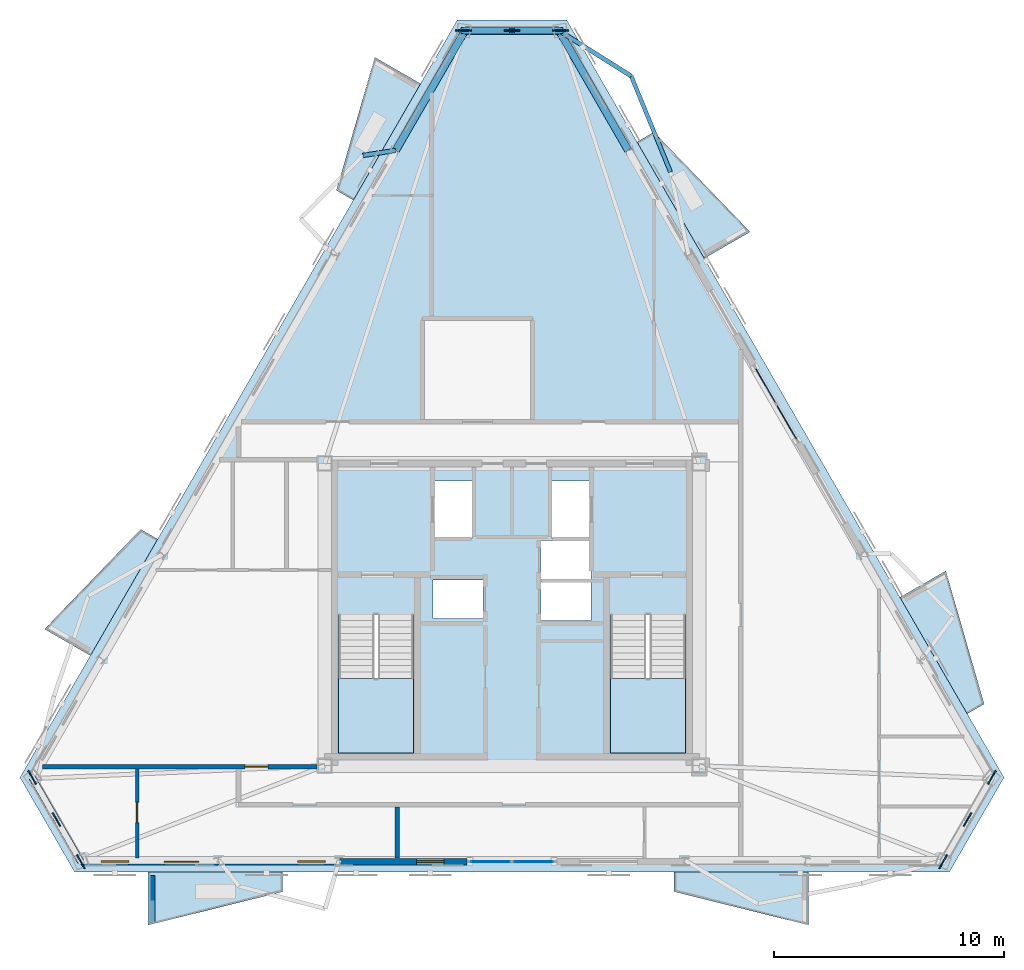
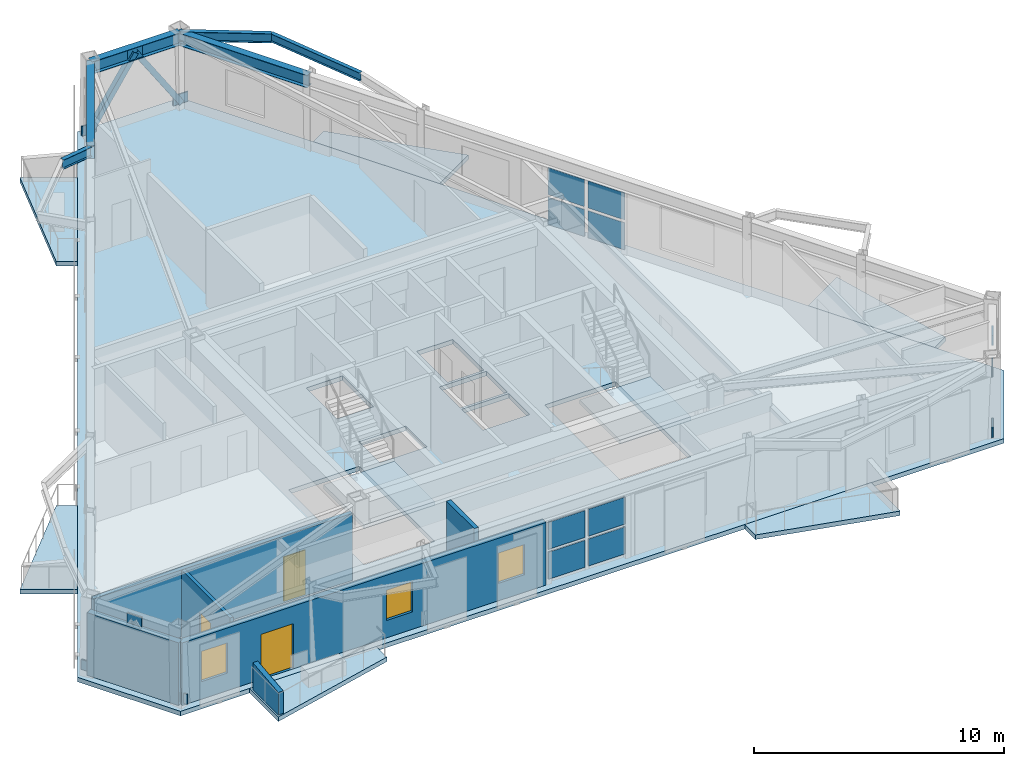
# One storey, part 7 of 15: 17 plates, 9 slabs, 6 beams, 6 walls, 3 doors, 3 windows, 2 members, 6 openings, 4 elements without a shape of their own.
"""IFC4 building model written with IfcOpenShell, lengths in metres."""

from ifc_helpers import new_model, si_unit, direction, frame, frame_2d, origin, origin_2d, place, context, subcontext, project, spatial, polyline, rectangle, hollow_rectangle, i_section, outline, extrude, material, layer, layer_set, material_profile, profile_set, type_object, element, fill, aggregate, save


model = new_model("IFC4")

# Units and contexts
model_context = context("Model", 3, precision=1e-05, world=origin(), true_north=direction((0.0, 1.0)))
body_context = subcontext(model_context, "Body", "Model", "MODEL_VIEW")
ifc_project = project(units=[si_unit("LENGTHUNIT", "METRE"), si_unit("AREAUNIT", "SQUARE_METRE"), si_unit("VOLUMEUNIT", "CUBIC_METRE"), si_unit("PLANEANGLEUNIT", "RADIAN"), si_unit("MASSUNIT", "GRAM", prefix="KILO")], contexts=[model_context])

# Site, building, storey
site_placement = place(None, origin())
site = spatial("IfcSite", under=ifc_project, at=site_placement, CompositionType="ELEMENT")
building_placement = place(site_placement, origin())
building = spatial("IfcBuilding", under=site, at=building_placement, Name="Oramaril Tower", CompositionType="ELEMENT")
storey_placement = place(building_placement, frame((0.0, 0.0, 288.89990234375)))
storey = spatial("IfcBuildingStorey", under=building, at=storey_placement, Name="L76", CompositionType="ELEMENT", Elevation=288.89990234375)

# Beams
ifc_material_1 = material(Name="Steel ASTM A572 Gr 50", Category="steel")
ifc_material_profile_1 = material_profile(ifc_material_1, i_section(OverallWidth=0.19091796875, OverallDepth=0.45703125, WebThickness=0.009033203125, FlangeThickness=0.014404296875, at=origin_2d()), Name="W18X50")
ifc_profile_set_1 = profile_set([ifc_material_profile_1], Name="Steel ASTM A572 Gr 50")
beam_type_1 = type_object("IfcBeamType", Name="BT-BB1", PredefinedType="BEAM", material=ifc_profile_set_1)
beam_1_placement = place(storey_placement, frame((39.55224609375, 42.97607421875, 3.45166015625), z_axis=(0.846798752878, -0.531913406604, 0.0), x_axis=(0.531913406604, 0.846798752878, 0.0)))
element("IfcBeam", 1, at=beam_1_placement, inside=storey, type_object=beam_type_1, Name="L76 Balcony Column-Framed Cantilever 04.2", PredefinedType="BEAM", context=body_context, shape_type="SweptSolid", body=[
    extrude(i_section(OverallWidth=0.19091796875, OverallDepth=0.45703125, WebThickness=0.009033203125, FlangeThickness=0.014404296875, at=origin_2d()), origin(), (0.0, 0.0, 1.0), 3.699951171875),
])
beam_2_placement = place(storey_placement, frame((32.442138671875, 37.770263671875, 3.45166015625), z_axis=(-0.988688165713, -0.14998570258, 0.0), x_axis=(0.14998570258, -0.988688165713, 0.0)))
element("IfcBeam", 2, at=beam_2_placement, inside=storey, type_object=beam_type_1, Name="L76 Balcony Column-Framed Cantilever 05.1", PredefinedType="BEAM", context=body_context, shape_type="SweptSolid", body=[
    extrude(i_section(OverallWidth=0.19091796875, OverallDepth=0.45703125, WebThickness=0.009033203125, FlangeThickness=0.014404296875, at=origin_2d()), origin(), (0.0, 0.0, 1.0), 1.44384765625),
])
ifc_material_2 = material(Name="Steel ASTM A572 Gr 50", Category="steel")
ifc_material_profile_2 = material_profile(ifc_material_2, i_section(OverallWidth=0.177978515625, OverallDepth=0.404052734375, WebThickness=0.007568359375, FlangeThickness=0.010986328125, at=origin_2d()), Name="W16X36")
ifc_profile_set_2 = profile_set([ifc_material_profile_2], Name="Steel ASTM A572 Gr 50")
beam_type_2 = type_object("IfcBeamType", Name="BT-SB1", PredefinedType="BEAM", material=ifc_profile_set_2)
beam_3_placement = place(storey_placement, frame((44.398193359375, 36.829833984375, 3.47802734375), z_axis=(-0.379319030389, 0.925265947274, 0.0), x_axis=(-0.925265947274, -0.379319030389, 0.0)))
element("IfcBeam", 3, at=beam_3_placement, inside=storey, type_object=beam_type_2, Name="L76 Balcony Edge Tie Beam 04", PredefinedType="BEAM", context=body_context, shape_type="SweptSolid", body=[
    extrude(i_section(OverallWidth=0.177978515625, OverallDepth=0.404052734375, WebThickness=0.007568359375, FlangeThickness=0.010986328125, at=origin_2d()), origin(), (0.0, 0.0, 1.0), 4.515625),
])
ifc_material_3 = material(Name="Steel ASTM A572 Gr 50", Category="steel")
ifc_material_profile_3 = material_profile(ifc_material_3, i_section(OverallWidth=0.324951171875, OverallDepth=0.612060546875, WebThickness=0.0126953125, FlangeThickness=0.01904296875, at=origin_2d()), Name="W24X104")
ifc_profile_set_3 = profile_set([ifc_material_profile_3], Name="Steel ASTM A572 Gr 50")
beam_type_3 = type_object("IfcBeamType", Name="BT-SP5", PredefinedType="SPANDREL", material=ifc_profile_set_3)
beam_4_placement = place(storey_placement, frame((42.557861328125, 37.770263671875, 3.3740234375), z_axis=(-0.500004880129, 0.866022586222, 0.0), x_axis=(-0.866022586222, -0.500004880129, 0.0)))
element("IfcBeam", 4, at=beam_4_placement, inside=storey, type_object=beam_type_3, Name="L76 Perimeter Spandrel 12", PredefinedType="SPANDREL", context=body_context, shape_type="SweptSolid", body=[
    extrude(i_section(OverallWidth=0.324951171875, OverallDepth=0.612060546875, WebThickness=0.0126953125, FlangeThickness=0.01904296875, at=origin_2d()), origin(), (0.0, 0.0, 1.0), 6.01123046875),
])
beam_5_placement = place(storey_placement, frame((39.55224609375, 42.97607421875, 3.3740234375), z_axis=(-1.0, 0.0, 0.0), x_axis=(0.0, -1.0, 0.0)))
element("IfcBeam", 5, at=beam_5_placement, inside=storey, type_object=beam_type_3, Name="L76 Perimeter Spandrel 13", PredefinedType="SPANDREL", context=body_context, shape_type="SweptSolid", body=[
    extrude(i_section(OverallWidth=0.324951171875, OverallDepth=0.612060546875, WebThickness=0.0126953125, FlangeThickness=0.01904296875, at=origin_2d()), origin(), (0.0, 0.0, 1.0), 4.1044921875),
])
beam_6_placement = place(storey_placement, frame((35.44775390625, 42.97607421875, 3.3740234375), z_axis=(-0.500004880129, -0.866022586222, 0.0), x_axis=(0.866022586222, -0.500004880129, 0.0)))
element("IfcBeam", 6, at=beam_6_placement, inside=storey, type_object=beam_type_3, Name="L76 Perimeter Spandrel 14", PredefinedType="SPANDREL", context=body_context, shape_type="SweptSolid", body=[
    extrude(i_section(OverallWidth=0.324951171875, OverallDepth=0.612060546875, WebThickness=0.0126953125, FlangeThickness=0.01904296875, at=origin_2d()), origin(), (0.0, 0.0, 1.0), 6.01123046875),
])

# Members
ifc_material_4 = material(Name="Steel ASTM A572 Gr 50", Category="steel")
ifc_material_profile_4 = material_profile(ifc_material_4, hollow_rectangle(XDim=0.25, YDim=0.25, WallThickness=0.011962890625, at=origin_2d()), Name="HSS250X250X12")
ifc_profile_set_4 = profile_set([ifc_material_profile_4], Name="Steel ASTM A572 Gr 50")
member_type = type_object("IfcMemberType", Name="MT-KB3", PredefinedType="BRACE", material=ifc_profile_set_4)
for number, where, z_axis, x_axis, name in (
    (7, (39.613037109375, 42.985595703125, 0.18017578125), (-0.551769098115, 0.0, 0.833996919878), (0.0, -1.0, 0.0), "L76 Perimeter Chevron Brace KB-3A"),
    (8, (35.386962890625, 42.985595703125, 0.18017578125), (0.551769098115, 0.0, 0.833996919878), (0.0, 1.0, 0.0), "L76 Perimeter Chevron Brace KB-3B"),
):
    element("IfcMember", number, at=place(storey_placement, frame(where, z_axis=z_axis, x_axis=x_axis)), inside=storey, type_object=member_type, Name=name, PredefinedType="BRACE", context=body_context, shape_type="SweptSolid", body=[
        extrude(hollow_rectangle(XDim=0.25, YDim=0.25, WallThickness=0.011962890625, at=origin_2d()), origin(), (0.0, 0.0, 1.0), 3.82958984375),
    ])

# Curtain wall, plates
ifc_material_5 = material(Name="Anodised Aluminium 6063-T6", Category="aluminium")
ifc_layer_1 = layer(ifc_material_5, 0.179931640625)
ifc_layer_set_1 = layer_set([ifc_layer_1], Name="CWT-SYS4")
curtain_wall_type = type_object("IfcCurtainWallType", Name="CWT-SYS4", PredefinedType="NOTDEFINED", material=ifc_layer_set_1)
curtain_wall_1_placement = place(storey_placement, origin())
curtain_wall_1 = element("IfcCurtainWall", 9, at=curtain_wall_1_placement, inside=storey, type_object=curtain_wall_type, Name="L76 Unitised Curtain Wall CW-4", PredefinedType="NOTDEFINED")
ifc_material_6 = material(Name="Coastal Low-E Insulated Glass", Category="glass")
ifc_layer_2 = layer(ifc_material_6, 0.0400390625)
ifc_layer_set_2 = layer_set([ifc_layer_2], Name="PLT-CWP4")
plate_type_1 = type_object("IfcPlateType", Name="PLT-CWP4", PredefinedType="CURTAIN_PANEL", material=ifc_layer_set_2)
plate_1_placement = place(storey_placement, frame((36.570068359375, 6.827392578125, 0.14013671875), z_axis=(0.0, 0.0, 1.0), x_axis=(1.0, 0.0, 0.0)))
plate_1 = element("IfcPlate", 10, at=plate_1_placement, type_object=plate_type_1, Name="CW-4 panel 1.1", PredefinedType="CURTAIN_PANEL", context=body_context, shape_type="SweptSolid", body=[
    extrude(rectangle(XDim=1.679931640625, YDim=0.0400390625, at=origin_2d()), origin(), (0.0, 0.0, 1.0), 1.319091796875),
])
plate_2_placement = place(storey_placement, frame((36.570068359375, 6.827392578125, 1.59912109375), z_axis=(0.0, 0.0, 1.0), x_axis=(1.0, 0.0, 0.0)))
plate_2 = element("IfcPlate", 11, at=plate_2_placement, type_object=plate_type_1, Name="CW-4 panel 1.2", PredefinedType="CURTAIN_PANEL", context=body_context, shape_type="SweptSolid", body=[
    extrude(rectangle(XDim=1.679931640625, YDim=0.0400390625, at=origin_2d()), origin(), (0.0, 0.0, 1.0), 1.319091796875),
])
plate_3_placement = place(storey_placement, frame((38.429931640625, 6.827392578125, 0.14013671875), z_axis=(0.0, 0.0, 1.0), x_axis=(1.0, 0.0, 0.0)))
plate_3 = element("IfcPlate", 12, at=plate_3_placement, type_object=plate_type_1, Name="CW-4 panel 2.1", PredefinedType="CURTAIN_PANEL", context=body_context, shape_type="SweptSolid", body=[
    extrude(rectangle(XDim=1.679931640625, YDim=0.0400390625, at=origin_2d()), origin(), (0.0, 0.0, 1.0), 1.319091796875),
])
plate_4_placement = place(storey_placement, frame((38.429931640625, 6.827392578125, 1.59912109375), z_axis=(0.0, 0.0, 1.0), x_axis=(1.0, 0.0, 0.0)))
plate_4 = element("IfcPlate", 13, at=plate_4_placement, type_object=plate_type_1, Name="CW-4 panel 2.2", PredefinedType="CURTAIN_PANEL", context=body_context, shape_type="SweptSolid", body=[
    extrude(rectangle(XDim=1.679931640625, YDim=0.0400390625, at=origin_2d()), origin(), (0.0, 0.0, 1.0), 1.319091796875),
])
aggregate(curtain_wall_1, [plate_1, plate_2, plate_3, plate_4])

curtain_wall_2_placement = place(storey_placement, origin())
curtain_wall_2 = element("IfcCurtainWall", 14, at=curtain_wall_2_placement, inside=storey, type_object=curtain_wall_type, Name="L76 Unitised Curtain Wall CW-4", PredefinedType="NOTDEFINED")
plate_5_placement = place(storey_placement, frame((49.45947265625, 25.930908203125, 0.14013671875), z_axis=(0.0, 0.0, 1.0), x_axis=(-0.499999897278, 0.866025463091, 0.0)))
plate_5 = element("IfcPlate", 15, at=plate_5_placement, type_object=plate_type_1, Name="CW-4 panel 1.1", PredefinedType="CURTAIN_PANEL", context=body_context, shape_type="SweptSolid", body=[
    extrude(rectangle(XDim=1.679931640625, YDim=0.0400390625, at=origin_2d()), origin(), (0.0, 0.0, 1.0), 1.319091796875),
])
plate_6_placement = place(storey_placement, frame((49.45947265625, 25.930908203125, 1.59912109375), z_axis=(0.0, 0.0, 1.0), x_axis=(-0.499999897278, 0.866025463091, 0.0)))
plate_6 = element("IfcPlate", 16, at=plate_6_placement, type_object=plate_type_1, Name="CW-4 panel 1.2", PredefinedType="CURTAIN_PANEL", context=body_context, shape_type="SweptSolid", body=[
    extrude(rectangle(XDim=1.679931640625, YDim=0.0400390625, at=origin_2d()), origin(), (0.0, 0.0, 1.0), 1.319091796875),
])
plate_7_placement = place(storey_placement, frame((48.529296875, 27.541748046875, 0.14013671875), z_axis=(0.0, 0.0, 1.0), x_axis=(-0.499999897278, 0.866025463091, 0.0)))
plate_7 = element("IfcPlate", 17, at=plate_7_placement, type_object=plate_type_1, Name="CW-4 panel 2.1", PredefinedType="CURTAIN_PANEL", context=body_context, shape_type="SweptSolid", body=[
    extrude(rectangle(XDim=1.679931640625, YDim=0.0400390625, at=origin_2d()), origin(), (0.0, 0.0, 1.0), 1.319091796875),
])
plate_8_placement = place(storey_placement, frame((48.529296875, 27.541748046875, 1.59912109375), z_axis=(0.0, 0.0, 1.0), x_axis=(-0.499999897278, 0.866025463091, 0.0)))
plate_8 = element("IfcPlate", 18, at=plate_8_placement, type_object=plate_type_1, Name="CW-4 panel 2.2", PredefinedType="CURTAIN_PANEL", context=body_context, shape_type="SweptSolid", body=[
    extrude(rectangle(XDim=1.679931640625, YDim=0.0400390625, at=origin_2d()), origin(), (0.0, 0.0, 1.0), 1.319091796875),
])
aggregate(curtain_wall_2, [plate_5, plate_6, plate_7, plate_8])

# Plates
ifc_material_7 = material(Name="Steel ASTM A572 Gr 50", Category="steel")
ifc_layer_3 = layer(ifc_material_7, 0.06005859375)
ifc_layer_set_3 = layer_set([ifc_layer_3], Name="PLT-G60")
plate_type_2 = type_object("IfcPlateType", Name="PLT-G60", PredefinedType="USERDEFINED", material=ifc_layer_set_3)
for number, where, z_axis, x_axis, name in (
    (19, (17.6806640625, 8.6572265625, 3.134033203125), (0.0, 0.0, 1.0), (0.499984884929, -0.866034130299, 0.0), "L76 Chevron Brace Gusset Plate BN-1"),
    (20, (16.624267578125, 10.4873046875, 0.10009765625), (0.0, 0.0, 1.0), (0.499984884929, -0.866034130299, 0.0), "L76 Chevron Brace Gusset Plate BN-1"),
    (21, (18.737060546875, 6.827392578125, 0.10009765625), (0.0, 0.0, 1.0), (0.499984884929, -0.866034130299, 0.0), "L76 Chevron Brace Gusset Plate BN-1"),
    (22, (57.3193359375, 8.6572265625, 3.134033203125), (0.0, 0.0, 1.0), (0.499984884929, 0.866034130299, 0.0), "L76 Chevron Brace Gusset Plate BN-1"),
    (23, (56.262939453125, 6.827392578125, 0.10009765625), (0.0, 0.0, 1.0), (0.499984884929, 0.866034130299, 0.0), "L76 Chevron Brace Gusset Plate BN-1"),
    (24, (58.375732421875, 10.4873046875, 0.10009765625), (0.0, 0.0, 1.0), (0.499984884929, 0.866034130299, 0.0), "L76 Chevron Brace Gusset Plate BN-1"),
    (25, (37.5, 42.985595703125, 3.134033203125), (0.0, 0.0, 1.0), (-1.0, 0.0, 0.0), "L76 Chevron Brace Gusset Plate BN-1"),
    (26, (39.613037109375, 42.985595703125, 0.10009765625), (0.0, 0.0, 1.0), (-1.0, 0.0, 0.0), "L76 Chevron Brace Gusset Plate BN-1"),
    (27, (35.386962890625, 42.985595703125, 0.10009765625), (0.0, 0.0, 1.0), (-1.0, 0.0, 0.0), "L76 Chevron Brace Gusset Plate BN-1"),
):
    element("IfcPlate", number, at=place(storey_placement, frame(where, z_axis=z_axis, x_axis=x_axis)), inside=storey, type_object=plate_type_2, Name=name, ObjectType="GUSSET", PredefinedType="USERDEFINED", context=body_context, shape_type="SweptSolid", body=[
        extrude(rectangle(XDim=0.679931640625, YDim=0.06005859375, at=origin_2d()), origin(), (0.0, 0.0, 1.0), 0.47998046875),
    ])

# Slabs
ifc_material_8 = material(Name="Concrete C40/50", Category="concrete")
ifc_layer_4 = layer(ifc_material_8, 0.199951171875)
ifc_layer_set_4 = layer_set([ifc_layer_4], Name="SLT-BAL20")
slab_type_1 = type_object("IfcSlabType", Name="SLT-BAL20", PredefinedType="FLOOR", material=ifc_layer_set_4)
slab_1_placement = place(storey_placement, frame((0.0, 0.0, -0.219970703125)))
element("IfcSlab", 28, at=slab_1_placement, inside=storey, type_object=slab_type_1, Name="L76 Cantilevered Balcony Slab L76-BAL-S2", PredefinedType="FLOOR", context=body_context, shape_type="SweptSolid", body=[
    extrude(outline(polyline([(44.553466796875, 6.369384765625), (50.403564453125, 6.369384765625), (50.403564453125, 4.0673828125), (44.553466796875, 5.517333984375), (44.553466796875, 6.369384765625)])), origin(), (0.0, 0.0, 1.0), 0.219970703125),
])
slab_2_placement = place(storey_placement, frame((0.0, 0.0, -0.219970703125)))
element("IfcSlab", 29, at=slab_2_placement, inside=storey, type_object=slab_type_1, Name="L76 Cantilevered Balcony Slab L76-BAL-NE1", PredefinedType="FLOOR", context=body_context, shape_type="SweptSolid", body=[
    extrude(outline(polyline([(57.305419921875, 13.257568359375), (54.38037109375, 18.32373046875), (56.373779296875, 19.474609375), (58.043212890625, 13.68359375), (57.305419921875, 13.257568359375)])), origin(), (0.0, 0.0, 1.0), 0.219970703125),
])
slab_3_placement = place(storey_placement, frame((0.0, 0.0, -0.219970703125)))
element("IfcSlab", 30, at=slab_3_placement, inside=storey, type_object=slab_type_1, Name="L76 Cantilevered Balcony Slab L76-BAL-NW2", PredefinedType="FLOOR", context=body_context, shape_type="SweptSolid", body=[
    extrude(outline(polyline([(22.082275390625, 20.85693359375), (19.1572265625, 15.79052734375), (17.16357421875, 16.941650390625), (21.344482421875, 21.282958984375), (22.082275390625, 20.85693359375)])), origin(), (0.0, 0.0, 1.0), 0.219970703125),
])
ifc_material_9 = material(Name="Concrete C50/60", Category="concrete")
ifc_layer_5 = layer(ifc_material_9, 0.219970703125)
ifc_layer_set_5 = layer_set([ifc_layer_5], Name="SLT-FLR22")
slab_type_2 = type_object("IfcSlabType", Name="SLT-FLR22", PredefinedType="FLOOR", material=ifc_layer_set_5)
slab_4_placement = place(storey_placement, frame((0.0, 0.0, -0.219970703125)))
element("IfcSlab", 31, at=slab_4_placement, inside=storey, type_object=slab_type_2, Name="L76 Structural Floor Slab", PredefinedType="FLOOR", context=body_context, shape_type="SweptSolid", body=[
    extrude(outline(polyline([(16.093017578125, 10.4873046875), (18.471435546875, 6.367431640625), (56.528564453125, 6.367431640625), (58.906982421875, 10.4873046875), (39.878662109375, 43.445556640625), (35.121337890625, 43.445556640625), (16.093017578125, 10.4873046875)]), holes=[polyline([(29.949951171875, 17.58935546875), (29.949951171875, 11.550048828125), (33.219970703125, 11.550048828125), (33.219970703125, 17.58935546875), (29.949951171875, 17.58935546875)]), polyline([(41.780029296875, 17.58935546875), (41.780029296875, 11.550048828125), (45.050048828125, 11.550048828125), (45.050048828125, 17.58935546875), (41.780029296875, 17.58935546875)]), polyline([(34.110107421875, 20.909912109375), (35.7900390625, 20.909912109375), (35.7900390625, 23.389892578125), (34.110107421875, 23.389892578125), (34.110107421875, 20.909912109375)]), polyline([(39.2099609375, 20.909912109375), (40.889892578125, 20.909912109375), (40.889892578125, 23.389892578125), (39.2099609375, 23.389892578125), (39.2099609375, 20.909912109375)]), polyline([(34.06005859375, 17.409912109375), (36.239990234375, 17.409912109375), (36.239990234375, 19.090087890625), (34.06005859375, 19.090087890625), (34.06005859375, 17.409912109375)]), polyline([(38.760009765625, 17.31005859375), (40.93994140625, 17.31005859375), (40.93994140625, 18.989990234375), (38.760009765625, 18.989990234375), (38.760009765625, 17.31005859375)]), polyline([(38.760009765625, 19.110107421875), (40.93994140625, 19.110107421875), (40.93994140625, 20.7900390625), (38.760009765625, 20.7900390625), (38.760009765625, 19.110107421875)])]), origin(), (0.0, 0.0, 1.0), 0.219970703125),
])

# Stair, slab
ifc_material_10 = material(Name="Concrete C50/60", Category="concrete")
stair_type = type_object("IfcStairType", Name="STT-DG-3900", PredefinedType="HALF_TURN_STAIR", material=ifc_material_10)
stair_1_placement = place(storey_placement, origin())
stair_1 = element("IfcStair", 32, at=stair_1_placement, inside=storey, type_object=stair_type, Name="L76 Protected PFP Exit Stair ST-1", PredefinedType="HALF_TURN_STAIR")
ifc_material_11 = material(Name="Concrete C50/60", Category="concrete")
ifc_layer_6 = layer(ifc_material_11, 0.199951171875)
ifc_layer_set_6 = layer_set([ifc_layer_6], Name="SLT-LND20")
slab_type_3 = type_object("IfcSlabType", Name="SLT-LND20", PredefinedType="LANDING", material=ifc_layer_set_6)
slab_5_placement = place(storey_placement, frame((0.0, 0.0, 1.75)))
slab_5 = element("IfcSlab", 33, at=slab_5_placement, type_object=slab_type_3, Name="ST-1 landing 1", PredefinedType="LANDING", context=body_context, shape_type="SweptSolid", body=[
    extrude(outline(polyline([(29.949951171875, 14.7900390625), (29.949951171875, 11.550048828125), (33.219970703125, 11.550048828125), (33.219970703125, 14.7900390625), (29.949951171875, 14.7900390625)])), origin(), (0.0, 0.0, 1.0), 0.2001953125),
])
aggregate(stair_1, [slab_5])

stair_2_placement = place(storey_placement, origin())
stair_2 = element("IfcStair", 34, at=stair_2_placement, inside=storey, type_object=stair_type, Name="L76 Protected PFP Exit Stair ST-2", PredefinedType="HALF_TURN_STAIR")
slab_6_placement = place(storey_placement, frame((0.0, 0.0, 1.75)))
slab_6 = element("IfcSlab", 35, at=slab_6_placement, type_object=slab_type_3, Name="ST-2 landing 1", PredefinedType="LANDING", context=body_context, shape_type="SweptSolid", body=[
    extrude(outline(polyline([(41.780029296875, 14.7900390625), (41.780029296875, 11.550048828125), (45.050048828125, 11.550048828125), (45.050048828125, 14.7900390625), (41.780029296875, 14.7900390625)])), origin(), (0.0, 0.0, 1.0), 0.2001953125),
])
aggregate(stair_2, [slab_6])

# Slabs
ifc_material_12 = material(Name="Concrete C40/50", Category="concrete")
ifc_layer_7 = layer(ifc_material_12, 0.18994140625)
ifc_layer_set_7 = layer_set([ifc_layer_7], Name="SLT-PLN19")
slab_type_4 = type_object("IfcSlabType", Name="SLT-PLN19", PredefinedType="FLOOR", material=ifc_layer_set_7)
slab_7_placement = place(storey_placement, frame((0.0, 0.0, -0.219970703125)))
element("IfcSlab", 36, at=slab_7_placement, inside=storey, type_object=slab_type_4, Name="L76 Tree Planter Balcony Slab L76-BAL-S1", PredefinedType="FLOOR", context=body_context, shape_type="SweptSolid", body=[
    extrude(outline(polyline([(21.67138671875, 6.369384765625), (27.521484375, 6.369384765625), (27.521484375, 5.517333984375), (21.67138671875, 4.0673828125), (21.67138671875, 6.369384765625)])), origin(), (0.0, 0.0, 1.0), 0.219970703125),
])
slab_8_placement = place(storey_placement, frame((0.0, 0.0, -0.219970703125)))
element("IfcSlab", 37, at=slab_8_placement, inside=storey, type_object=slab_type_4, Name="L76 Tree Planter Balcony Slab L76-BAL-NE2", PredefinedType="FLOOR", context=body_context, shape_type="SweptSolid", body=[
    extrude(outline(polyline([(45.864501953125, 33.07373046875), (42.939453125, 38.14013671875), (43.67724609375, 38.566162109375), (47.85791015625, 34.224853515625), (45.864501953125, 33.07373046875)])), origin(), (0.0, 0.0, 1.0), 0.219970703125),
])
slab_9_placement = place(storey_placement, frame((0.0, 0.0, -0.219970703125)))
element("IfcSlab", 38, at=slab_9_placement, inside=storey, type_object=slab_type_4, Name="L76 Tree Planter Balcony Slab L76-BAL-NW1", PredefinedType="FLOOR", context=body_context, shape_type="SweptSolid", body=[
    extrude(outline(polyline([(33.523193359375, 40.673095703125), (30.59814453125, 35.60693359375), (29.8603515625, 36.032958984375), (31.529541015625, 41.82421875), (33.523193359375, 40.673095703125)])), origin(), (0.0, 0.0, 1.0), 0.219970703125),
])

# Wall
ifc_material_13 = material(Name="Warm Cream Limestone", Category="masonry")
ifc_layer_8 = layer(ifc_material_13, 0.2900390625)
ifc_layer_set_8 = layer_set([ifc_layer_8], Name="WT-EXT29")
wall_type_1 = type_object("IfcWallType", Name="WT-EXT29", PredefinedType="SOLIDWALL", material=ifc_layer_set_8)
wall_1_placement = place(storey_placement, frame((16.624267578125, 10.4873046875, 0.0), z_axis=(0.0, 0.0, 1.0), x_axis=(0.499954162615, -0.866051866393, 0.0)))
element("IfcWall", 39, at=wall_1_placement, inside=storey, type_object=wall_type_1, Name="L76 Tower Limestone Facade Wall 1M", PredefinedType="SOLIDWALL", context=body_context, shape_type="SweptSolid", body=[
    extrude(rectangle(XDim=4.22607421875, YDim=0.2900390625, at=frame_2d((2.113037109375, 0.0))), origin(), (0.0, 0.0, 1.0), 3.05810546875),
])

# Wall, openings, door, windows
wall_2_placement = place(storey_placement, frame((18.737060546875, 6.827392578125, 0.0), z_axis=(0.0, 0.0, 1.0), x_axis=(1.0, 0.0, 0.0)))
wall_2 = element("IfcWall", 40, at=wall_2_placement, inside=storey, type_object=wall_type_1, Name="L76 Tower Limestone Facade Wall 2L", PredefinedType="SOLIDWALL", context=body_context, shape_type="SweptSolid", body=[
    extrude(rectangle(XDim=16.81298828125, YDim=0.2900390625, at=frame_2d((8.406494140625, 0.0))), origin(), (0.0, 0.0, 1.0), 3.05810546875),
])
opening_1_placement = place(wall_2_placement, frame((3.639404296875, 0.0, 0.0)))
opening_1 = element("IfcOpeningElement", 41, at=opening_1_placement, cuts=wall_2, Name="Opening D-L76-BAL-S1", PredefinedType="OPENING", context=body_context, shape_type="SweptSolid", body=[
    extrude(rectangle(XDim=1.5, YDim=2.199951171875, at=frame_2d((0.75, 1.10009765625))), frame((0.0, 0.14501953125, 0.0), z_axis=(0.0, -1.0, 0.0), x_axis=(1.0, 0.0, 0.0)), (0.0, 0.0, 1.0), 0.2900390625),
])
opening_2_placement = place(wall_2_placement, frame((9.430908203125, 0.0, 0.85009765625)))
opening_2 = element("IfcOpeningElement", 42, at=opening_2_placement, cuts=wall_2, Name="Opening WN-09", PredefinedType="OPENING", context=body_context, shape_type="SweptSolid", body=[
    extrude(rectangle(XDim=1.199951171875, YDim=1.47998046875, at=frame_2d((0.60009765625, 0.739990234375))), frame((0.0, 0.14501953125, 0.0), z_axis=(0.0, -1.0, 0.0), x_axis=(1.0, 0.0, 0.0)), (0.0, 0.0, 1.0), 0.2900390625),
])
opening_3_placement = place(wall_2_placement, frame((0.8818359375, 0.0, 0.85009765625)))
opening_3 = element("IfcOpeningElement", 43, at=opening_3_placement, cuts=wall_2, Name="Opening WN-09", PredefinedType="OPENING", context=body_context, shape_type="SweptSolid", body=[
    extrude(rectangle(XDim=1.199951171875, YDim=1.47998046875, at=frame_2d((0.60009765625, 0.739990234375))), frame((0.0, 0.14501953125, 0.0), z_axis=(0.0, -1.0, 0.0), x_axis=(1.0, 0.0, 0.0)), (0.0, 0.0, 1.0), 0.2900390625),
])
opening_4_placement = place(wall_2_placement, frame((14.612548828125, 0.0, 0.85009765625)))
opening_4 = element("IfcOpeningElement", 44, at=opening_4_placement, cuts=wall_2, Name="Opening WN-09", PredefinedType="OPENING", context=body_context, shape_type="SweptSolid", body=[
    extrude(rectangle(XDim=1.199951171875, YDim=1.47998046875, at=frame_2d((0.60009765625, 0.739990234375))), frame((0.0, 0.14501953125, 0.0), z_axis=(0.0, -1.0, 0.0), x_axis=(1.0, 0.0, 0.0)), (0.0, 0.0, 1.0), 0.2900390625),
])
ifc_material_14 = material(Name="Anodised Aluminium 6063-T6", Category="aluminium")
door_type_1 = type_object("IfcDoorType", Name="DT-BAL", OperationType="NOTDEFINED", PredefinedType="DOOR", material=ifc_material_14)
door_1_placement = place(opening_1_placement, origin())
door_1 = element("IfcDoor", 45, at=door_1_placement, inside=storey, type_object=door_type_1, Name="L76 Balcony Glazed Door L76-BAL-S1", OperationType="SINGLE_SWING_LEFT", OverallHeight=2.199951171875, OverallWidth=1.5, PredefinedType="DOOR", context=body_context, shape_type="SweptSolid", body=[
    extrude(rectangle(XDim=1.5, YDim=2.199951171875, at=frame_2d((0.75, 1.10009765625))), frame((0.0, 0.02490234375, 0.0), z_axis=(0.0, -1.0, 0.0), x_axis=(1.0, 0.0, 0.0)), (0.0, 0.0, 1.0), 0.050048828125),
])
fill(opening_1, door_1)
ifc_material_15 = material(Name="Coastal Low-E Insulated Glass", Category="glass")
window_type = type_object("IfcWindowType", Name="WNT-09", PartitioningType="SINGLE_PANEL", PredefinedType="WINDOW", material=ifc_material_15)
window_1_placement = place(opening_2_placement, origin())
window_1 = element("IfcWindow", 46, at=window_1_placement, inside=storey, type_object=window_type, Name="L76 Chicago Bay Window WN-09", OverallHeight=1.47998046875, OverallWidth=1.199951171875, PartitioningType="SINGLE_PANEL", PredefinedType="WINDOW", context=body_context, shape_type="SweptSolid", body=[
    extrude(rectangle(XDim=1.199951171875, YDim=1.47998046875, at=frame_2d((0.60009765625, 0.739990234375))), frame((0.0, 0.030029296875, 0.0), z_axis=(0.0, -1.0, 0.0), x_axis=(1.0, 0.0, 0.0)), (0.0, 0.0, 1.0), 0.06005859375),
])
fill(opening_2, window_1)
window_2_placement = place(opening_3_placement, origin())
window_2 = element("IfcWindow", 47, at=window_2_placement, inside=storey, type_object=window_type, Name="L76 Chicago Bay Window WN-09", OverallHeight=1.47998046875, OverallWidth=1.199951171875, PartitioningType="SINGLE_PANEL", PredefinedType="WINDOW", context=body_context, shape_type="SweptSolid", body=[
    extrude(rectangle(XDim=1.199951171875, YDim=1.47998046875, at=frame_2d((0.60009765625, 0.739990234375))), frame((0.0, 0.030029296875, 0.0), z_axis=(0.0, -1.0, 0.0), x_axis=(1.0, 0.0, 0.0)), (0.0, 0.0, 1.0), 0.06005859375),
])
fill(opening_3, window_2)
window_3_placement = place(opening_4_placement, origin())
window_3 = element("IfcWindow", 48, at=window_3_placement, inside=storey, type_object=window_type, Name="L76 Chicago Bay Window WN-09", OverallHeight=1.47998046875, OverallWidth=1.199951171875, PartitioningType="SINGLE_PANEL", PredefinedType="WINDOW", context=body_context, shape_type="SweptSolid", body=[
    extrude(rectangle(XDim=1.199951171875, YDim=1.47998046875, at=frame_2d((0.60009765625, 0.739990234375))), frame((0.0, 0.030029296875, 0.0), z_axis=(0.0, -1.0, 0.0), x_axis=(1.0, 0.0, 0.0)), (0.0, 0.0, 1.0), 0.06005859375),
])
fill(opening_4, window_3)

# Wall
ifc_material_16 = material(Name="Concrete C40/50", Category="concrete")
ifc_layer_9 = layer(ifc_material_16, 0.22998046875)
ifc_layer_set_9 = layer_set([ifc_layer_9], Name="WT-PRP23")
wall_type_2 = type_object("IfcWallType", Name="WT-PRP23", PredefinedType="PARAPET", material=ifc_layer_set_9)
wall_3_placement = place(storey_placement, frame((21.8515625, 6.2294921875, 0.0), z_axis=(0.0, 0.0, 1.0), x_axis=(0.0, -1.0, 0.0)))
element("IfcWall", 49, at=wall_3_placement, inside=storey, type_object=wall_type_2, Name="L76 Trapezoidal Balcony Frame Cheek L76-BAL-S1-L", PredefinedType="PARAPET", context=body_context, shape_type="SweptSolid", body=[
    extrude(outline(polyline([(0.0, 0.0), (2.0419921875, 0.0), (2.0419921875, 1.10009765625), (0.0, 1.320068359375), (0.0, 0.0)])), frame((0.0, 0.114990234375, 0.0), z_axis=(0.0, -1.0, 0.0), x_axis=(1.0, 0.0, 0.0)), (0.0, 0.0, 1.0), 0.22998046875),
])

# Wall, opening, door
ifc_material_17 = material(Name="Acoustic Gypsum Board Partition")
ifc_layer_10 = layer(ifc_material_17, 0.159912109375)
ifc_layer_set_10 = layer_set([ifc_layer_10], Name="WT-PT16")
wall_type_3 = type_object("IfcWallType", Name="WT-PT16", PredefinedType="PARTITIONING", material=ifc_layer_set_10)
wall_4_placement = place(storey_placement, frame((21.18994140625, 6.976318359375, 0.0), z_axis=(0.0, 0.0, 1.0), x_axis=(0.0, 1.0, 0.0)))
wall_4 = element("IfcWall", 50, at=wall_4_placement, inside=storey, type_object=wall_type_3, Name="L76 Interior Partition PT-16", PredefinedType="PARTITIONING", context=body_context, shape_type="SweptSolid", body=[
    extrude(rectangle(XDim=3.86962890625, YDim=0.159912109375, at=frame_2d((1.934814453125, 0.0))), origin(), (0.0, 0.0, 1.0), 3.26611328125),
])
opening_5_placement = place(wall_4_placement, frame((1.54736328125, 0.0, 0.0)))
opening_5 = element("IfcOpeningElement", 51, at=opening_5_placement, cuts=wall_4, Name="Opening D-L76-11", PredefinedType="OPENING", context=body_context, shape_type="SweptSolid", body=[
    extrude(rectangle(XDim=0.8798828125, YDim=2.080078125, at=frame_2d((0.43994140625, 1.0400390625))), frame((0.0, 0.080078125, 0.0), z_axis=(0.0, -1.0, 0.0), x_axis=(1.0, 0.0, 0.0)), (0.0, 0.0, 1.0), 0.159912109375),
])
ifc_material_18 = material(Name="FSC Brazilian Freijo Hardwood", Category="wood")
door_type_2 = type_object("IfcDoorType", Name="DT-BATH", OperationType="NOTDEFINED", PredefinedType="DOOR", material=ifc_material_18)
door_2_placement = place(opening_5_placement, origin())
door_2 = element("IfcDoor", 52, at=door_2_placement, inside=storey, type_object=door_type_2, Name="L76 Flat L76-U1 Bathroom Door D-L76-11", OperationType="SINGLE_SWING_LEFT", OverallHeight=2.080078125, OverallWidth=0.8798828125, PredefinedType="DOOR", context=body_context, shape_type="SweptSolid", body=[
    extrude(rectangle(XDim=0.8798828125, YDim=2.080078125, at=frame_2d((0.43994140625, 1.0400390625))), frame((0.0, 0.02490234375, 0.0), z_axis=(0.0, -1.0, 0.0), x_axis=(1.0, 0.0, 0.0)), (0.0, 0.0, 1.0), 0.050048828125),
])
fill(opening_5, door_2)

ifc_material_19 = material(Name="Autoclaved Cellular Concrete Block", Category="concrete")
ifc_layer_11 = layer(ifc_material_19, 0.199951171875)
ifc_layer_set_11 = layer_set([ifc_layer_11], Name="WT-PT20")
wall_type_4 = type_object("IfcWallType", Name="WT-PT20", PredefinedType="PARTITIONING", material=ifc_layer_set_11)
wall_5_placement = place(storey_placement, frame((17.0634765625, 10.949951171875, 0.0), z_axis=(0.0, 0.0, 1.0), x_axis=(1.0, 0.0, 0.0)))
wall_5 = element("IfcWall", 53, at=wall_5_placement, inside=storey, type_object=wall_type_4, Name="L76 Interior Partition PT-20", PredefinedType="PARTITIONING", context=body_context, shape_type="SweptSolid", body=[
    extrude(rectangle(XDim=11.946533203125, YDim=0.199951171875, at=frame_2d((5.97314453125, 0.0))), origin(), (0.0, 0.0, 1.0), 3.26611328125),
])
opening_6_placement = place(wall_5_placement, frame((8.818359375, 0.0, 0.0)))
opening_6 = element("IfcOpeningElement", 54, at=opening_6_placement, cuts=wall_5, Name="Opening D-L76-03", PredefinedType="OPENING", context=body_context, shape_type="SweptSolid", body=[
    extrude(rectangle(XDim=1.0, YDim=2.179931640625, at=frame_2d((0.5, 1.08984375))), frame((0.0, 0.10009765625, 0.0), z_axis=(0.0, -1.0, 0.0), x_axis=(1.0, 0.0, 0.0)), (0.0, 0.0, 1.0), 0.199951171875),
])
ifc_material_20 = material(Name="FSC Brazilian Freijo Hardwood", Category="wood")
door_type_3 = type_object("IfcDoorType", Name="DT-APT", OperationType="NOTDEFINED", PredefinedType="DOOR", material=ifc_material_20)
door_3_placement = place(opening_6_placement, origin())
door_3 = element("IfcDoor", 55, at=door_3_placement, inside=storey, type_object=door_type_3, Name="L76 Flat L76-U3 Penthouse Living and Dining Room Door D-L76-03", OperationType="SINGLE_SWING_LEFT", OverallHeight=2.179931640625, OverallWidth=1.0, PredefinedType="DOOR", context=body_context, shape_type="SweptSolid", body=[
    extrude(rectangle(XDim=1.0, YDim=2.179931640625, at=frame_2d((0.5, 1.08984375))), frame((0.0, 0.02490234375, 0.0), z_axis=(0.0, -1.0, 0.0), x_axis=(1.0, 0.0, 0.0)), (0.0, 0.0, 1.0), 0.050048828125),
])
fill(opening_6, door_3)

# Wall
wall_6_placement = place(storey_placement, frame((32.5, 6.976318359375, 0.0), z_axis=(0.0, 0.0, 1.0), x_axis=(0.0, 1.0, 0.0)))
element("IfcWall", 56, at=wall_6_placement, inside=storey, type_object=wall_type_4, Name="L76 Interior Partition PT-20", PredefinedType="PARTITIONING", context=body_context, shape_type="SweptSolid", body=[
    extrude(rectangle(XDim=2.2197265625, YDim=0.199951171875, at=frame_2d((1.10986328125, 0.0))), origin(), (0.0, 0.0, 1.0), 3.68017578125),
])

save(model, "model.ifc")
